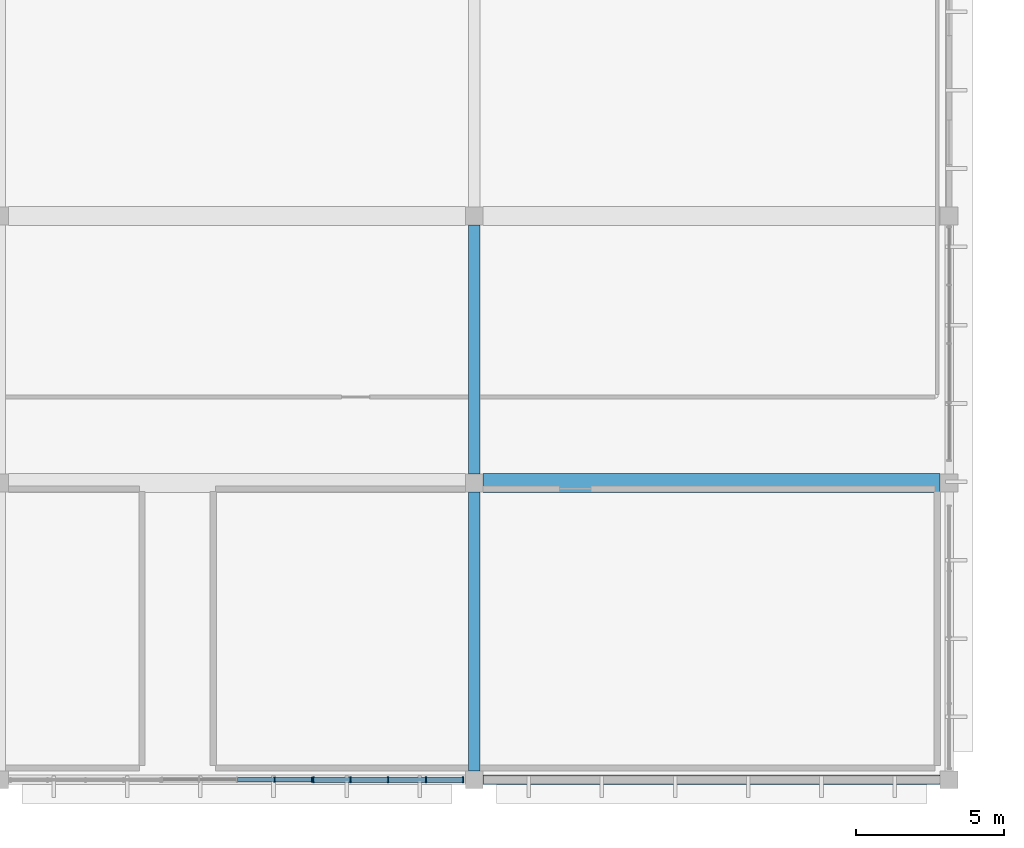
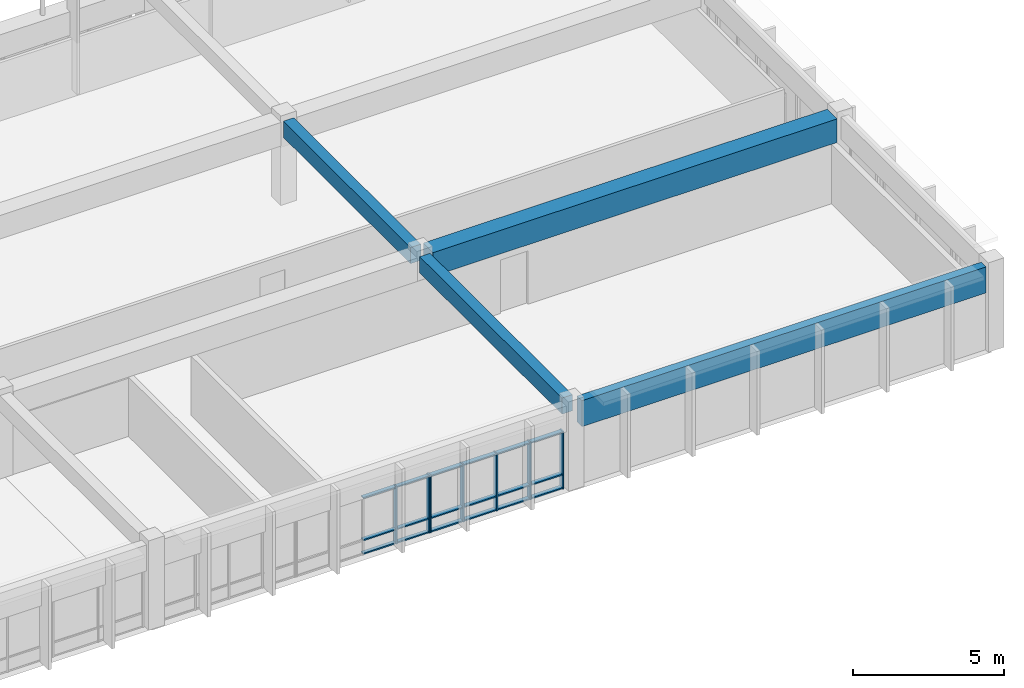
# One storey, part 32 of 155: 25 members, 4 beams, 2 elements without a shape of their own.
"""IFC4 building model written with IfcOpenShell, lengths in metres."""

from ifc_helpers import new_model, si_unit, direction, frame, origin, origin_2d, place, context, subcontext, project, spatial, rectangle, extrude, material, material_profile, profile_set, type_object, element, aggregate, save


model = new_model("IFC4")

# Units and contexts
model_context = context("Model", 3, precision=1e-05, world=origin(), true_north=direction((0.0, 1.0)))
body_context = subcontext(model_context, "Body", "Model", "MODEL_VIEW")
ifc_project = project(units=[si_unit("LENGTHUNIT", "METRE"), si_unit("AREAUNIT", "SQUARE_METRE"), si_unit("VOLUMEUNIT", "CUBIC_METRE"), si_unit("PLANEANGLEUNIT", "RADIAN"), si_unit("MASSUNIT", "GRAM", prefix="KILO")], contexts=[model_context])

# Site, building, storey
site_placement = place(None, origin())
site = spatial("IfcSite", under=ifc_project, at=site_placement, CompositionType="ELEMENT")
building_placement = place(site_placement, origin())
building = spatial("IfcBuilding", under=site, at=building_placement, Name="Larkveld Mobility Hub", CompositionType="ELEMENT")
storey_placement = place(building_placement, frame((0.0, 0.0, 8.39990234375)))
storey = spatial("IfcBuildingStorey", under=building, at=storey_placement, Name="L02", CompositionType="ELEMENT", Elevation=8.39990234375)

# Beams
ifc_material_1 = material(Name="Precast concrete C50/60", Category="concrete")
ifc_material_profile_1 = material_profile(ifc_material_1, rectangle(XDim=0.64990234375, YDim=0.949951171875, at=origin_2d()), Name="PC ITB 650x950")
ifc_profile_set_1 = profile_set([ifc_material_profile_1], Name="Precast concrete C50/60")
beam_type_1 = type_object("IfcBeamType", Name="BM-ITB6595", PredefinedType="T_BEAM", material=ifc_profile_set_1)
beam_1_placement = place(storey_placement, frame((168.300048828125, 10.0, 2.885009765625), z_axis=(1.0, 0.0, 0.0), x_axis=(0.0, 1.0, 0.0)))
element("IfcBeam", 1, at=beam_1_placement, inside=storey, type_object=beam_type_1, Name="Primary E-W Girder L02-0497", PredefinedType="T_BEAM", context=body_context, shape_type="SweptSolid", body=[
    extrude(rectangle(XDim=0.64990234375, YDim=0.949951171875, at=origin_2d()), origin(), (0.0, 0.0, 1.0), 15.39990234375),
])
ifc_material_2 = material(Name="Concrete C40/50", Category="concrete")
ifc_material_profile_2 = material_profile(ifc_material_2, rectangle(XDim=0.39990234375, YDim=0.64990234375, at=origin_2d()), Name="RC BM 400x650")
ifc_profile_set_2 = profile_set([ifc_material_profile_2], Name="Concrete C40/50")
beam_type_2 = type_object("IfcBeamType", Name="BM-RC4065", PredefinedType="BEAM", material=ifc_profile_set_2)
beam_2_placement = place(storey_placement, frame((168.0, 0.300048828125, 3.03515625), z_axis=(0.0, 1.0, 0.0), x_axis=(-1.0, 0.0, 0.0)))
element("IfcBeam", 2, at=beam_2_placement, inside=storey, type_object=beam_type_2, Name="Primary N-S Girder L02-0687", PredefinedType="BEAM", context=body_context, shape_type="SweptSolid", body=[
    extrude(rectangle(XDim=0.39990234375, YDim=0.64990234375, at=origin_2d()), origin(), (0.0, 0.0, 1.0), 9.39990234375),
])
beam_3_placement = place(storey_placement, frame((168.0, 10.300048828125, 3.03515625), z_axis=(0.0, 1.0, 0.0), x_axis=(-1.0, 0.0, 0.0)))
element("IfcBeam", 3, at=beam_3_placement, inside=storey, type_object=beam_type_2, Name="Primary N-S Girder L02-0688", PredefinedType="BEAM", context=body_context, shape_type="SweptSolid", body=[
    extrude(rectangle(XDim=0.39990234375, YDim=0.64990234375, at=origin_2d()), origin(), (0.0, 0.0, 1.0), 8.39990234375),
])
ifc_material_profile_3 = material_profile(ifc_material_1, rectangle(XDim=0.320068359375, YDim=1.050048828125, at=origin_2d()), Name="PC SP 320x1050")
ifc_profile_set_3 = profile_set([ifc_material_profile_3], Name="Precast concrete C50/60")
beam_type_3 = type_object("IfcBeamType", Name="BM-SP32105", PredefinedType="SPANDREL", material=ifc_profile_set_3)
beam_4_placement = place(storey_placement, frame((168.300048828125, 0.0, 2.835205078125), z_axis=(1.0, 0.0, 0.0), x_axis=(0.0, 1.0, 0.0)))
element("IfcBeam", 4, at=beam_4_placement, inside=storey, type_object=beam_type_3, Name="Primary E-W Girder L02-0490", PredefinedType="SPANDREL", context=body_context, shape_type="SweptSolid", body=[
    extrude(rectangle(XDim=0.320068359375, YDim=1.050048828125, at=origin_2d()), origin(), (0.0, 0.0, 1.0), 15.39990234375),
])

# Curtain wall, members
ifc_material_3 = material(Name="Anodised aluminium 6063-T6", Category="aluminium")
curtain_wall_type_1 = type_object("IfcCurtainWallType", Name="CW-SYS-10", PredefinedType="NOTDEFINED", material=ifc_material_3)
curtain_wall_1_placement = place(storey_placement, origin())
curtain_wall_1 = element("IfcCurtainWall", 5, at=curtain_wall_1_placement, inside=storey, type_object=curtain_wall_type_1, Name="Service Wing South Glazing L02 CW-106", PredefinedType="NOTDEFINED")
ifc_material_profile_4 = material_profile(ifc_material_3, rectangle(XDim=0.050048828125, YDim=0.179931640625, at=origin_2d()), Name="ALU MULL 50x180")
ifc_profile_set_4 = profile_set([ifc_material_profile_4], Name="Anodised aluminium 6063-T6")
member_type_1 = type_object("IfcMemberType", Name="CW-MUL-02", PredefinedType="MULLION", material=ifc_profile_set_4)
member_1_placement = place(storey_placement, frame((161.27490234375, 0.0, -0.001953125), z_axis=(0.0, 0.0, 1.0), x_axis=(1.0, 0.0, 0.0)))
member_1 = element("IfcMember", 6, at=member_1_placement, type_object=member_type_1, Name="CW10 mullion 4", PredefinedType="MULLION", context=body_context, shape_type="SweptSolid", body=[
    extrude(rectangle(XDim=0.050048828125, YDim=0.179931640625, at=origin_2d()), origin(), (0.0, 0.0, 1.0), 2.31201171875),
])
member_2_placement = place(storey_placement, frame((162.52490234375, 0.0, -0.001953125), z_axis=(0.0, 0.0, 1.0), x_axis=(1.0, 0.0, 0.0)))
member_2 = element("IfcMember", 7, at=member_2_placement, type_object=member_type_1, Name="CW10 mullion 5", PredefinedType="MULLION", context=body_context, shape_type="SweptSolid", body=[
    extrude(rectangle(XDim=0.050048828125, YDim=0.179931640625, at=origin_2d()), origin(), (0.0, 0.0, 1.0), 2.31201171875),
])

curtain_wall_type_2 = type_object("IfcCurtainWallType", Name="CW-SYS-11", PredefinedType="NOTDEFINED", material=ifc_material_3)
curtain_wall_2_placement = place(storey_placement, origin())
curtain_wall_2 = element("IfcCurtainWall", 8, at=curtain_wall_2_placement, inside=storey, type_object=curtain_wall_type_2, Name="Service Wing South Glazing L02 CW-107", PredefinedType="NOTDEFINED")
ifc_material_profile_5 = material_profile(ifc_material_3, rectangle(XDim=0.050048828125, YDim=0.2099609375, at=origin_2d()), Name="ALU MULL 50x210")
ifc_profile_set_5 = profile_set([ifc_material_profile_5], Name="Anodised aluminium 6063-T6")
member_type_2 = type_object("IfcMemberType", Name="CW-MUL-03", PredefinedType="MULLION", material=ifc_profile_set_5)
member_3_placement = place(storey_placement, frame((162.574951171875, 0.0, -0.001953125), z_axis=(0.0, 0.0, 1.0), x_axis=(1.0, 0.0, 0.0)))
member_3 = element("IfcMember", 9, at=member_3_placement, type_object=member_type_2, Name="CW11 mullion 1", PredefinedType="MULLION", context=body_context, shape_type="SweptSolid", body=[
    extrude(rectangle(XDim=0.050048828125, YDim=0.2099609375, at=origin_2d()), origin(), (0.0, 0.0, 1.0), 2.31201171875),
])
member_4_placement = place(storey_placement, frame((163.824951171875, 0.0, -0.001953125), z_axis=(0.0, 0.0, 1.0), x_axis=(1.0, 0.0, 0.0)))
member_4 = element("IfcMember", 10, at=member_4_placement, type_object=member_type_2, Name="CW11 mullion 2", PredefinedType="MULLION", context=body_context, shape_type="SweptSolid", body=[
    extrude(rectangle(XDim=0.050048828125, YDim=0.2099609375, at=origin_2d()), origin(), (0.0, 0.0, 1.0), 2.31201171875),
])
member_5_placement = place(storey_placement, frame((165.10009765625, 0.0, -0.001953125), z_axis=(0.0, 0.0, 1.0), x_axis=(1.0, 0.0, 0.0)))
member_5 = element("IfcMember", 11, at=member_5_placement, type_object=member_type_2, Name="CW11 mullion 3", PredefinedType="MULLION", context=body_context, shape_type="SweptSolid", body=[
    extrude(rectangle(XDim=0.050048828125, YDim=0.2099609375, at=origin_2d()), origin(), (0.0, 0.0, 1.0), 2.31201171875),
])
member_6_placement = place(storey_placement, frame((166.375, 0.0, -0.001953125), z_axis=(0.0, 0.0, 1.0), x_axis=(1.0, 0.0, 0.0)))
member_6 = element("IfcMember", 12, at=member_6_placement, type_object=member_type_2, Name="CW11 mullion 4", PredefinedType="MULLION", context=body_context, shape_type="SweptSolid", body=[
    extrude(rectangle(XDim=0.050048828125, YDim=0.2099609375, at=origin_2d()), origin(), (0.0, 0.0, 1.0), 2.31201171875),
])
member_7_placement = place(storey_placement, frame((167.625, 0.0, -0.001953125), z_axis=(0.0, 0.0, 1.0), x_axis=(1.0, 0.0, 0.0)))
member_7 = element("IfcMember", 13, at=member_7_placement, type_object=member_type_2, Name="CW11 mullion 5", PredefinedType="MULLION", context=body_context, shape_type="SweptSolid", body=[
    extrude(rectangle(XDim=0.050048828125, YDim=0.2099609375, at=origin_2d()), origin(), (0.0, 0.0, 1.0), 2.31201171875),
])

# Member
ifc_material_profile_6 = material_profile(ifc_material_3, rectangle(XDim=0.14990234375, YDim=0.050048828125, at=origin_2d()), Name="ALU TRAN 50x150")
ifc_profile_set_6 = profile_set([ifc_material_profile_6], Name="Anodised aluminium 6063-T6")
member_type_3 = type_object("IfcMemberType", Name="CW-TRN-02", PredefinedType="USERDEFINED", material=ifc_profile_set_6)
member_8_placement = place(storey_placement, frame((160.014892578125, 0.0, 0.030029296875), z_axis=(1.0, 0.0, 0.0), x_axis=(0.0, 1.0, 0.0)))
member_8 = element("IfcMember", 14, at=member_8_placement, type_object=member_type_3, Name="CW10 transom 3.1", ObjectType="TRANSOM", PredefinedType="USERDEFINED", context=body_context, shape_type="SweptSolid", body=[
    extrude(rectangle(XDim=0.14990234375, YDim=0.050048828125, at=origin_2d()), origin(), (0.0, 0.0, 1.0), 1.2451171875),
])

member_9_placement = place(storey_placement, frame((160.014892578125, 0.0, 0.5771484375), z_axis=(1.0, 0.0, 0.0), x_axis=(0.0, 1.0, 0.0)))
member_9 = element("IfcMember", 15, at=member_9_placement, type_object=member_type_3, Name="CW10 transom 3.2", ObjectType="TRANSOM", PredefinedType="USERDEFINED", context=body_context, shape_type="SweptSolid", body=[
    extrude(rectangle(XDim=0.14990234375, YDim=0.050048828125, at=origin_2d()), origin(), (0.0, 0.0, 1.0), 1.2451171875),
])

member_10_placement = place(storey_placement, frame((160.014892578125, 0.0, 2.278076171875), z_axis=(1.0, 0.0, 0.0), x_axis=(0.0, 1.0, 0.0)))
member_10 = element("IfcMember", 16, at=member_10_placement, type_object=member_type_3, Name="CW10 transom 3.3", ObjectType="TRANSOM", PredefinedType="USERDEFINED", context=body_context, shape_type="SweptSolid", body=[
    extrude(rectangle(XDim=0.14990234375, YDim=0.050048828125, at=origin_2d()), origin(), (0.0, 0.0, 1.0), 1.2451171875),
])

member_11_placement = place(storey_placement, frame((161.2900390625, 0.0, 0.030029296875), z_axis=(1.0, 0.0, 0.0), x_axis=(0.0, 1.0, 0.0)))
member_11 = element("IfcMember", 17, at=member_11_placement, type_object=member_type_3, Name="CW10 transom 4.1", ObjectType="TRANSOM", PredefinedType="USERDEFINED", context=body_context, shape_type="SweptSolid", body=[
    extrude(rectangle(XDim=0.14990234375, YDim=0.050048828125, at=origin_2d()), origin(), (0.0, 0.0, 1.0), 1.224853515625),
])

member_12_placement = place(storey_placement, frame((161.2900390625, 0.0, 0.5771484375), z_axis=(1.0, 0.0, 0.0), x_axis=(0.0, 1.0, 0.0)))
member_12 = element("IfcMember", 18, at=member_12_placement, type_object=member_type_3, Name="CW10 transom 4.2", ObjectType="TRANSOM", PredefinedType="USERDEFINED", context=body_context, shape_type="SweptSolid", body=[
    extrude(rectangle(XDim=0.14990234375, YDim=0.050048828125, at=origin_2d()), origin(), (0.0, 0.0, 1.0), 1.224853515625),
])

member_13_placement = place(storey_placement, frame((161.2900390625, 0.0, 2.278076171875), z_axis=(1.0, 0.0, 0.0), x_axis=(0.0, 1.0, 0.0)))
member_13 = element("IfcMember", 19, at=member_13_placement, type_object=member_type_3, Name="CW10 transom 4.3", ObjectType="TRANSOM", PredefinedType="USERDEFINED", context=body_context, shape_type="SweptSolid", body=[
    extrude(rectangle(XDim=0.14990234375, YDim=0.050048828125, at=origin_2d()), origin(), (0.0, 0.0, 1.0), 1.224853515625),
])

aggregate(curtain_wall_1, [member_1, member_2, member_8, member_9, member_10, member_11, member_12, member_13])

ifc_material_profile_7 = material_profile(ifc_material_3, rectangle(XDim=0.169921875, YDim=0.050048828125, at=origin_2d()), Name="ALU TRAN 50x170")
ifc_profile_set_7 = profile_set([ifc_material_profile_7], Name="Anodised aluminium 6063-T6")
member_type_4 = type_object("IfcMemberType", Name="CW-TRN-03", PredefinedType="USERDEFINED", material=ifc_profile_set_7)
member_14_placement = place(storey_placement, frame((162.5849609375, 0.0, 0.030029296875), z_axis=(1.0, 0.0, 0.0), x_axis=(0.0, 1.0, 0.0)))
member_14 = element("IfcMember", 20, at=member_14_placement, type_object=member_type_4, Name="CW11 transom 1.1", ObjectType="TRANSOM", PredefinedType="USERDEFINED", context=body_context, shape_type="SweptSolid", body=[
    extrude(rectangle(XDim=0.169921875, YDim=0.050048828125, at=origin_2d()), origin(), (0.0, 0.0, 1.0), 1.22509765625),
])

member_15_placement = place(storey_placement, frame((162.5849609375, 0.0, 0.5771484375), z_axis=(1.0, 0.0, 0.0), x_axis=(0.0, 1.0, 0.0)))
member_15 = element("IfcMember", 21, at=member_15_placement, type_object=member_type_4, Name="CW11 transom 1.2", ObjectType="TRANSOM", PredefinedType="USERDEFINED", context=body_context, shape_type="SweptSolid", body=[
    extrude(rectangle(XDim=0.169921875, YDim=0.050048828125, at=origin_2d()), origin(), (0.0, 0.0, 1.0), 1.22509765625),
])

member_16_placement = place(storey_placement, frame((162.5849609375, 0.0, 2.278076171875), z_axis=(1.0, 0.0, 0.0), x_axis=(0.0, 1.0, 0.0)))
member_16 = element("IfcMember", 22, at=member_16_placement, type_object=member_type_4, Name="CW11 transom 1.3", ObjectType="TRANSOM", PredefinedType="USERDEFINED", context=body_context, shape_type="SweptSolid", body=[
    extrude(rectangle(XDim=0.169921875, YDim=0.050048828125, at=origin_2d()), origin(), (0.0, 0.0, 1.0), 1.22509765625),
])

member_17_placement = place(storey_placement, frame((163.840087890625, 0.0, 0.030029296875), z_axis=(1.0, 0.0, 0.0), x_axis=(0.0, 1.0, 0.0)))
member_17 = element("IfcMember", 23, at=member_17_placement, type_object=member_type_4, Name="CW11 transom 2.1", ObjectType="TRANSOM", PredefinedType="USERDEFINED", context=body_context, shape_type="SweptSolid", body=[
    extrude(rectangle(XDim=0.169921875, YDim=0.050048828125, at=origin_2d()), origin(), (0.0, 0.0, 1.0), 1.244873046875),
])

member_18_placement = place(storey_placement, frame((163.840087890625, 0.0, 0.5771484375), z_axis=(1.0, 0.0, 0.0), x_axis=(0.0, 1.0, 0.0)))
member_18 = element("IfcMember", 24, at=member_18_placement, type_object=member_type_4, Name="CW11 transom 2.2", ObjectType="TRANSOM", PredefinedType="USERDEFINED", context=body_context, shape_type="SweptSolid", body=[
    extrude(rectangle(XDim=0.169921875, YDim=0.050048828125, at=origin_2d()), origin(), (0.0, 0.0, 1.0), 1.244873046875),
])

member_19_placement = place(storey_placement, frame((163.840087890625, 0.0, 2.278076171875), z_axis=(1.0, 0.0, 0.0), x_axis=(0.0, 1.0, 0.0)))
member_19 = element("IfcMember", 25, at=member_19_placement, type_object=member_type_4, Name="CW11 transom 2.3", ObjectType="TRANSOM", PredefinedType="USERDEFINED", context=body_context, shape_type="SweptSolid", body=[
    extrude(rectangle(XDim=0.169921875, YDim=0.050048828125, at=origin_2d()), origin(), (0.0, 0.0, 1.0), 1.244873046875),
])

member_20_placement = place(storey_placement, frame((165.114990234375, 0.0, 0.030029296875), z_axis=(1.0, 0.0, 0.0), x_axis=(0.0, 1.0, 0.0)))
member_20 = element("IfcMember", 26, at=member_20_placement, type_object=member_type_4, Name="CW11 transom 3.1", ObjectType="TRANSOM", PredefinedType="USERDEFINED", context=body_context, shape_type="SweptSolid", body=[
    extrude(rectangle(XDim=0.169921875, YDim=0.050048828125, at=origin_2d()), origin(), (0.0, 0.0, 1.0), 1.2451171875),
])

member_21_placement = place(storey_placement, frame((165.114990234375, 0.0, 0.5771484375), z_axis=(1.0, 0.0, 0.0), x_axis=(0.0, 1.0, 0.0)))
member_21 = element("IfcMember", 27, at=member_21_placement, type_object=member_type_4, Name="CW11 transom 3.2", ObjectType="TRANSOM", PredefinedType="USERDEFINED", context=body_context, shape_type="SweptSolid", body=[
    extrude(rectangle(XDim=0.169921875, YDim=0.050048828125, at=origin_2d()), origin(), (0.0, 0.0, 1.0), 1.2451171875),
])

member_22_placement = place(storey_placement, frame((165.114990234375, 0.0, 2.278076171875), z_axis=(1.0, 0.0, 0.0), x_axis=(0.0, 1.0, 0.0)))
member_22 = element("IfcMember", 28, at=member_22_placement, type_object=member_type_4, Name="CW11 transom 3.3", ObjectType="TRANSOM", PredefinedType="USERDEFINED", context=body_context, shape_type="SweptSolid", body=[
    extrude(rectangle(XDim=0.169921875, YDim=0.050048828125, at=origin_2d()), origin(), (0.0, 0.0, 1.0), 1.2451171875),
])

member_23_placement = place(storey_placement, frame((166.389892578125, 0.0, 0.030029296875), z_axis=(1.0, 0.0, 0.0), x_axis=(0.0, 1.0, 0.0)))
member_23 = element("IfcMember", 29, at=member_23_placement, type_object=member_type_4, Name="CW11 transom 4.1", ObjectType="TRANSOM", PredefinedType="USERDEFINED", context=body_context, shape_type="SweptSolid", body=[
    extrude(rectangle(XDim=0.169921875, YDim=0.050048828125, at=origin_2d()), origin(), (0.0, 0.0, 1.0), 1.22509765625),
])

member_24_placement = place(storey_placement, frame((166.389892578125, 0.0, 0.5771484375), z_axis=(1.0, 0.0, 0.0), x_axis=(0.0, 1.0, 0.0)))
member_24 = element("IfcMember", 30, at=member_24_placement, type_object=member_type_4, Name="CW11 transom 4.2", ObjectType="TRANSOM", PredefinedType="USERDEFINED", context=body_context, shape_type="SweptSolid", body=[
    extrude(rectangle(XDim=0.169921875, YDim=0.050048828125, at=origin_2d()), origin(), (0.0, 0.0, 1.0), 1.22509765625),
])

member_25_placement = place(storey_placement, frame((166.389892578125, 0.0, 2.278076171875), z_axis=(1.0, 0.0, 0.0), x_axis=(0.0, 1.0, 0.0)))
member_25 = element("IfcMember", 31, at=member_25_placement, type_object=member_type_4, Name="CW11 transom 4.3", ObjectType="TRANSOM", PredefinedType="USERDEFINED", context=body_context, shape_type="SweptSolid", body=[
    extrude(rectangle(XDim=0.169921875, YDim=0.050048828125, at=origin_2d()), origin(), (0.0, 0.0, 1.0), 1.22509765625),
])

aggregate(curtain_wall_2, [member_3, member_4, member_5, member_6, member_7, member_14, member_15, member_16, member_17, member_18, member_19, member_20, member_21, member_22, member_23, member_24, member_25])

save(model, "model.ifc")
